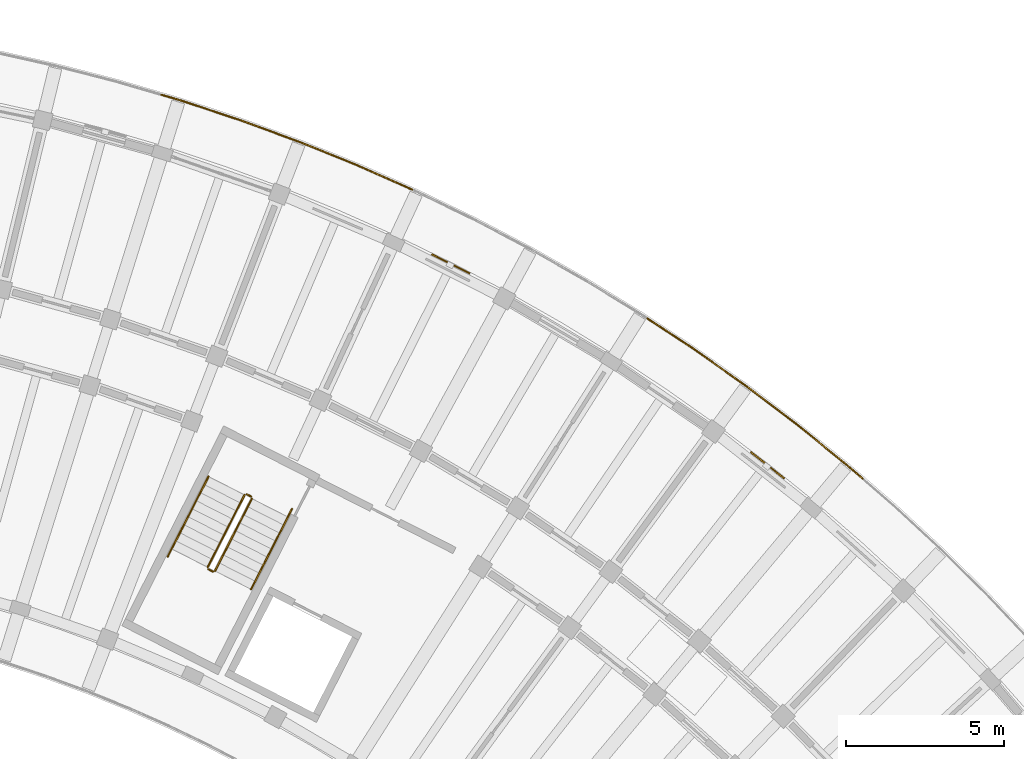
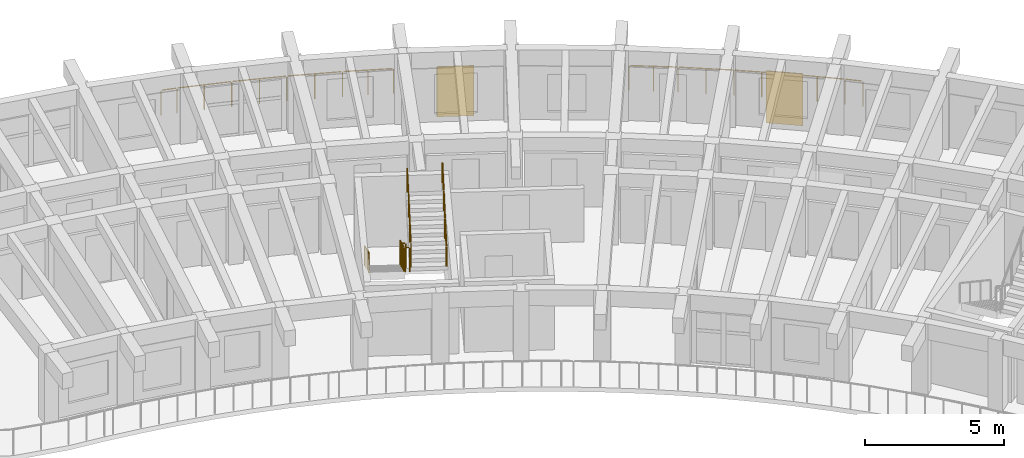
# One storey, part 95 of 96: 12 railings, 2 shading devices.
"""IFC4 building model written with IfcOpenShell, lengths in metres."""

from ifc_helpers import new_model, si_unit, direction, frame, origin, origin_2d, place, context, subcontext, project, spatial, rectangle, circle, extrude, material, layer, layer_set, type_object, element, save


model = new_model("IFC4")

# Units and contexts
model_context = context("Model", 3, precision=1e-05, world=origin(), true_north=direction((0.0, 1.0)))
body_context = subcontext(model_context, "Body", "Model", "MODEL_VIEW")
ifc_project = project(units=[si_unit("LENGTHUNIT", "METRE"), si_unit("AREAUNIT", "SQUARE_METRE"), si_unit("VOLUMEUNIT", "CUBIC_METRE"), si_unit("PLANEANGLEUNIT", "RADIAN"), si_unit("MASSUNIT", "GRAM", prefix="KILO")], contexts=[model_context])

# Site, building, storey
site_placement = place(None, origin())
site = spatial("IfcSite", under=ifc_project, at=site_placement, CompositionType="ELEMENT")
building_placement = place(site_placement, origin())
building = spatial("IfcBuilding", under=site, at=building_placement, Name="Tanwirah Colonnade Gardens", CompositionType="ELEMENT")
storey_placement = place(building_placement, frame((0.0, 0.0, 12.199951171875)))
storey = spatial("IfcBuildingStorey", under=building, at=storey_placement, Name="L03", CompositionType="ELEMENT", Elevation=12.199951171875)

# Railings
ifc_material_1 = material(Name="Precast concrete C40/50", Category="concrete")
railing_type_1 = type_object("IfcRailingType", Name="BAL-EXT112", PredefinedType="BALUSTRADE", material=ifc_material_1)
railing_1_placement = place(storey_placement, frame((138.708984375, 118.89990234375, 0.0)))
element("IfcRailing", 1, at=railing_1_placement, inside=storey, type_object=railing_type_1, Name="Block B L03 Balcony Ribbon Balustrade 12", PredefinedType="BALUSTRADE", context=body_context, shape_type="SweptSolid", body=[
    extrude(circle(Radius=0.02392578125, at=origin_2d()), frame((0.030029296875, -0.0087890625, 1.09619140625), z_axis=(0.959445381797, -0.281894589072, 0.0), x_axis=(0.281894589072, 0.959445381797, 0.0)), (0.0, 0.0, 1.0), 0.521240234375),
    extrude(circle(Radius=0.02392578125, at=origin_2d()), frame((0.58984375, -0.17431640625, 1.09619140625), z_axis=(0.949537316482, -0.313654084317, 0.0), x_axis=(0.313654084317, 0.949537316482, 0.0)), (0.0, 0.0, 1.0), 1.958984375),
    extrude(circle(Radius=0.02392578125, at=origin_2d()), frame((2.5087890625, -0.809326171875, 1.09619140625), z_axis=(0.938723993457, -0.344669789956, 0.0), x_axis=(0.344669789956, 0.938723993457, 0.0)), (0.0, 0.0, 1.0), 1.958984375),
    extrude(circle(Radius=0.02392578125, at=origin_2d()), frame((4.40625, -1.507080078125, 1.09619140625), z_axis=(0.926784720453, -0.375592973757, 0.0), x_axis=(0.375592973757, 0.926784720453, 0.0)), (0.0, 0.0, 1.0), 1.958984375),
    extrude(circle(Radius=0.02392578125, at=origin_2d()), frame((6.279296875, -2.267333984375, 1.09619140625), z_axis=(0.913952853369, -0.405820381227, 0.0), x_axis=(0.405820381227, 0.913952853369, 0.0)), (0.0, 0.0, 1.0), 1.789306640625),
    extrude(circle(Radius=0.02099609375, at=origin_2d()), origin(), (0.0, 0.0, 1.0), 1.069091796875),
    extrude(circle(Radius=0.02099609375, at=origin_2d()), frame((0.56005859375, -0.16455078125, 0.0)), (0.0, 0.0, 1.0), 1.069091796875),
    extrude(circle(Radius=0.02099609375, at=origin_2d()), frame((1.519775390625, -0.4814453125, 0.0)), (0.0, 0.0, 1.0), 1.069091796875),
    extrude(circle(Radius=0.02099609375, at=origin_2d()), frame((2.4794921875, -0.798583984375, 0.0)), (0.0, 0.0, 1.0), 1.069091796875),
    extrude(circle(Radius=0.02099609375, at=origin_2d()), frame((3.42822265625, -1.14697265625, 0.0)), (0.0, 0.0, 1.0), 1.069091796875),
    extrude(circle(Radius=0.02099609375, at=origin_2d()), frame((4.377197265625, -1.495361328125, 0.0)), (0.0, 0.0, 1.0), 1.069091796875),
    extrude(circle(Radius=0.02099609375, at=origin_2d()), frame((5.31396484375, -1.875, 0.0)), (0.0, 0.0, 1.0), 1.069091796875),
    extrude(circle(Radius=0.02099609375, at=origin_2d()), frame((6.250732421875, -2.254638671875, 0.0)), (0.0, 0.0, 1.0), 1.069091796875),
    extrude(circle(Radius=0.02099609375, at=origin_2d()), frame((7.096923828125, -2.63037109375, 0.0)), (0.0, 0.0, 1.0), 1.069091796875),
    extrude(circle(Radius=0.02099609375, at=origin_2d()), frame((7.943115234375, -3.006103515625, 0.0)), (0.0, 0.0, 1.0), 1.069091796875),
])
railing_2_placement = place(storey_placement, frame((154.10107421875, 111.814208984375, 0.0)))
element("IfcRailing", 2, at=railing_2_placement, inside=storey, type_object=railing_type_1, Name="Block B L03 Balcony Ribbon Balustrade 14", PredefinedType="BALUSTRADE", context=body_context, shape_type="SweptSolid", body=[
    extrude(circle(Radius=0.02392578125, at=origin_2d()), frame((0.026123046875, -0.01708984375, 1.09619140625), z_axis=(0.834955335446, -0.550317715334, 0.0), x_axis=(0.550317715334, 0.834955335446, 0.0)), (0.0, 0.0, 1.0), 1.714599609375),
    extrude(circle(Radius=0.02392578125, at=origin_2d()), frame((1.509521484375, -0.99609375, 1.09619140625), z_axis=(0.816344803849, -0.577564854565, 0.0), x_axis=(0.577564854565, 0.816344803849, 0.0)), (0.0, 0.0, 1.0), 1.958740234375),
    extrude(circle(Radius=0.02392578125, at=origin_2d()), frame((3.158935546875, -2.164306640625, 1.09619140625), z_axis=(0.796887753746, -0.604127393792, 0.0), x_axis=(0.604127393792, 0.796887753746, 0.0)), (0.0, 0.0, 1.0), 1.958984375),
    extrude(circle(Radius=0.02392578125, at=origin_2d()), frame((4.76904296875, -3.386474609375, 1.09619140625), z_axis=(0.776549722569, -0.630055972417, 0.0), x_axis=(0.630055972417, 0.776549722569, 0.0)), (0.0, 0.0, 1.0), 1.958984375),
    extrude(circle(Radius=0.02392578125, at=origin_2d()), frame((6.33837890625, -4.660888671875, 1.09619140625), z_axis=(0.755371030703, -0.65529734165, 0.0), x_axis=(0.65529734165, 0.755371030703, 0.0)), (0.0, 0.0, 1.0), 0.59619140625),
    extrude(circle(Radius=0.02099609375, at=origin_2d()), origin(), (0.0, 0.0, 1.0), 1.069091796875),
    extrude(circle(Radius=0.02099609375, at=origin_2d()), frame((0.741943359375, -0.489013671875, 0.0)), (0.0, 0.0, 1.0), 1.069091796875),
    extrude(circle(Radius=0.02099609375, at=origin_2d()), frame((1.48388671875, -0.97802734375, 0.0)), (0.0, 0.0, 1.0), 1.069091796875),
    extrude(circle(Radius=0.02099609375, at=origin_2d()), frame((2.30908203125, -1.561767578125, 0.0)), (0.0, 0.0, 1.0), 1.069091796875),
    extrude(circle(Radius=0.02099609375, at=origin_2d()), frame((3.134033203125, -2.1455078125, 0.0)), (0.0, 0.0, 1.0), 1.069091796875),
    extrude(circle(Radius=0.02099609375, at=origin_2d()), frame((3.939453125, -2.756103515625, 0.0)), (0.0, 0.0, 1.0), 1.069091796875),
    extrude(circle(Radius=0.02099609375, at=origin_2d()), frame((4.744873046875, -3.36669921875, 0.0)), (0.0, 0.0, 1.0), 1.069091796875),
    extrude(circle(Radius=0.02099609375, at=origin_2d()), frame((5.52978515625, -4.00341796875, 0.0)), (0.0, 0.0, 1.0), 1.069091796875),
    extrude(circle(Radius=0.02099609375, at=origin_2d()), frame((6.314697265625, -4.640380859375, 0.0)), (0.0, 0.0, 1.0), 1.069091796875),
    extrude(circle(Radius=0.02099609375, at=origin_2d()), frame((6.812255859375, -5.072021484375, 0.0)), (0.0, 0.0, 1.0), 1.069091796875),
])
ifc_material_2 = material(Name="Powder-coated galvanized steel", Category="steel")
railing_type_2 = type_object("IfcRailingType", Name="GRD-ST110", PredefinedType="GUARDRAIL", material=ifc_material_2)
railing_3_placement = place(storey_placement, frame((141.344970703125, 106.230712890625, 0.16796875)))
element("IfcRailing", 3, at=railing_3_placement, inside=storey, type_object=railing_type_2, Name="L03 ST-B2 stair guard 1", PredefinedType="GUARDRAIL", context=body_context, shape_type="SweptSolid", body=[
    extrude(circle(Radius=0.02392578125, at=origin_2d()), frame((-0.01220703125, -0.02392578125, 1.092041015625), z_axis=(-0.3911222872, -0.767567239095, 0.507803003067), x_axis=(0.890993730975, -0.45401560696, 0.0)), (0.0, 0.0, 1.0), 2.9150390625),
    extrude(circle(Radius=0.02099609375, at=origin_2d()), origin(), (0.0, 0.0, 1.0), 1.049072265625),
    extrude(circle(Radius=0.02099609375, at=origin_2d()), frame((-0.38818359375, -0.76171875, 0.50390625)), (0.0, 0.0, 1.0), 1.049072265625),
    extrude(circle(Radius=0.02099609375, at=origin_2d()), frame((-0.7763671875, -1.523681640625, 1.008056640625)), (0.0, 0.0, 1.0), 1.049072265625),
    extrude(circle(Radius=0.02099609375, at=origin_2d()), frame((-1.16455078125, -2.285400390625, 1.511962890625)), (0.0, 0.0, 1.0), 1.049072265625),
])
railing_4_placement = place(storey_placement, frame((140.202392578125, 103.8779296875, 1.679931640625)))
element("IfcRailing", 4, at=railing_4_placement, inside=storey, type_object=railing_type_2, Name="L03 ST-B2 stair guard 2", PredefinedType="GUARDRAIL", context=body_context, shape_type="SweptSolid", body=[
    extrude(circle(Radius=0.02392578125, at=origin_2d()), frame((0.02783203125, -0.01416015625, 1.076171875), z_axis=(0.891353773095, -0.453308340084, 0.0), x_axis=(0.453308340084, 0.891353773095, 0.0)), (0.0, 0.0, 1.0), 0.097412109375),
    extrude(circle(Radius=0.02099609375, at=origin_2d()), origin(), (0.0, 0.0, 1.0), 1.049072265625),
    extrude(circle(Radius=0.02099609375, at=origin_2d()), frame((0.142578125, -0.072509765625, 0.0)), (0.0, 0.0, 1.0), 1.049072265625),
])
railing_5_placement = place(storey_placement, frame((140.412109375, 103.8271484375, 1.84814453125)))
element("IfcRailing", 5, at=railing_5_placement, inside=storey, type_object=railing_type_2, Name="L03 ST-B2 stair guard 3", PredefinedType="GUARDRAIL", context=body_context, shape_type="SweptSolid", body=[
    extrude(circle(Radius=0.02392578125, at=origin_2d()), frame((0.01220703125, 0.02392578125, 1.092041015625), z_axis=(0.3911222872, 0.767567239095, 0.507803003067), x_axis=(-0.890993730975, 0.45401560696, 0.0)), (0.0, 0.0, 1.0), 2.9150390625),
    extrude(circle(Radius=0.02099609375, at=origin_2d()), origin(), (0.0, 0.0, 1.0), 1.049072265625),
    extrude(circle(Radius=0.02099609375, at=origin_2d()), frame((0.38818359375, 0.76171875, 0.50390625)), (0.0, 0.0, 1.0), 1.049072265625),
    extrude(circle(Radius=0.02099609375, at=origin_2d()), frame((0.7763671875, 1.523681640625, 1.008056640625)), (0.0, 0.0, 1.0), 1.049072265625),
    extrude(circle(Radius=0.02099609375, at=origin_2d()), frame((1.16455078125, 2.285400390625, 1.511962890625)), (0.0, 0.0, 1.0), 1.049072265625),
])
railing_6_placement = place(storey_placement, frame((141.412109375, 106.25244140625, 0.0)))
element("IfcRailing", 6, at=railing_6_placement, inside=storey, type_object=railing_type_2, Name="L03 ST-B2 stair guard 4", PredefinedType="GUARDRAIL", context=body_context, shape_type="SweptSolid", body=[
    extrude(circle(Radius=0.02392578125, at=origin_2d()), frame((0.02783203125, -0.01416015625, 1.076171875), z_axis=(0.891353773095, -0.453308340084, 0.0), x_axis=(0.453308340084, 0.891353773095, 0.0)), (0.0, 0.0, 1.0), 0.097412109375),
    extrude(circle(Radius=0.02099609375, at=origin_2d()), origin(), (0.0, 0.0, 1.0), 1.049072265625),
    extrude(circle(Radius=0.02099609375, at=origin_2d()), frame((0.142578125, -0.072509765625, 0.0)), (0.0, 0.0, 1.0), 1.049072265625),
])
ifc_material_3 = material(Name="Brushed bronze stainless steel", Category="steel")
railing_type_3 = type_object("IfcRailingType", Name="HR-ST090", PredefinedType="HANDRAIL", material=ifc_material_3)
railing_7_placement = place(storey_placement, frame((140.204345703125, 106.811767578125, 0.16796875)))
element("IfcRailing", 7, at=railing_7_placement, inside=storey, type_object=railing_type_3, Name="L03 ST-B2 stair handrail 1", PredefinedType="HANDRAIL", context=body_context, shape_type="SweptSolid", body=[
    extrude(circle(Radius=0.02392578125, at=origin_2d()), frame((-0.01220703125, -0.02392578125, 0.891845703125), z_axis=(-0.389886268615, -0.765422249879, 0.511974097915), x_axis=(0.891061070925, -0.453883429839, 0.0)), (0.0, 0.0, 1.0), 1.043212890625),
    extrude(circle(Radius=0.02099609375, at=origin_2d()), origin(), (0.0, 0.0, 1.0), 0.848876953125),
    extrude(circle(Radius=0.02099609375, at=origin_2d()), frame((-0.43115234375, -0.846435546875, 0.566162109375)), (0.0, 0.0, 1.0), 0.848876953125),
])
railing_8_placement = place(storey_placement, frame((139.773193359375, 105.96533203125, 0.734130859375)))
element("IfcRailing", 8, at=railing_8_placement, inside=storey, type_object=railing_type_3, Name="L03 ST-B2 stair handrail 2", PredefinedType="HANDRAIL", context=body_context, shape_type="SweptSolid", body=[
    extrude(circle(Radius=0.02392578125, at=origin_2d()), frame((-0.01220703125, -0.02392578125, 0.891845703125), z_axis=(-0.390117538533, -0.765442844423, 0.51176709356), x_axis=(0.890957114254, -0.454087459154, 0.0)), (0.0, 0.0, 1.0), 1.043212890625),
    extrude(circle(Radius=0.02099609375, at=origin_2d()), origin(), (0.0, 0.0, 1.0), 0.848876953125),
    extrude(circle(Radius=0.02099609375, at=origin_2d()), frame((-0.431396484375, -0.846435546875, 0.56591796875)), (0.0, 0.0, 1.0), 0.848876953125),
])
railing_9_placement = place(storey_placement, frame((139.341796875, 105.118896484375, 1.300048828125)))
element("IfcRailing", 9, at=railing_9_placement, inside=storey, type_object=railing_type_3, Name="L03 ST-B2 stair handrail 3", PredefinedType="HANDRAIL", context=body_context, shape_type="SweptSolid", body=[
    extrude(circle(Radius=0.02392578125, at=origin_2d()), frame((-0.01220703125, -0.02392578125, 0.891845703125), z_axis=(-0.38993033558, -0.765508761867, 0.511811165275), x_axis=(0.891061070925, -0.453883429839, 0.0)), (0.0, 0.0, 1.0), 1.043212890625),
    extrude(circle(Radius=0.02099609375, at=origin_2d()), origin(), (0.0, 0.0, 1.0), 0.848876953125),
    extrude(circle(Radius=0.02099609375, at=origin_2d()), frame((-0.43115234375, -0.846435546875, 0.56591796875)), (0.0, 0.0, 1.0), 0.848876953125),
])
for number, where, name in (
    (10, (141.552490234375, 103.24609375, 1.84814453125), "L03 ST-B2 stair handrail 4"),
    (11, (141.98388671875, 104.092529296875, 2.4140625), "L03 ST-B2 stair handrail 5"),
):
    element("IfcRailing", number, at=place(storey_placement, frame(where)), inside=storey, type_object=railing_type_3, Name=name, PredefinedType="HANDRAIL", context=body_context, shape_type="SweptSolid", body=[
        extrude(circle(Radius=0.02392578125, at=origin_2d()), frame((0.01220703125, 0.02392578125, 0.891845703125), z_axis=(0.390117538533, 0.765442844423, 0.51176709356), x_axis=(-0.890957114254, 0.454087459154, 0.0)), (0.0, 0.0, 1.0), 1.043212890625),
        extrude(circle(Radius=0.02099609375, at=origin_2d()), origin(), (0.0, 0.0, 1.0), 0.848876953125),
        extrude(circle(Radius=0.02099609375, at=origin_2d()), frame((0.431396484375, 0.846435546875, 0.56591796875)), (0.0, 0.0, 1.0), 0.848876953125),
    ])
railing_10_placement = place(storey_placement, frame((142.415283203125, 104.93896484375, 2.97998046875)))
element("IfcRailing", 12, at=railing_10_placement, inside=storey, type_object=railing_type_3, Name="L03 ST-B2 stair handrail 6", PredefinedType="HANDRAIL", context=body_context, shape_type="SweptSolid", body=[
    extrude(circle(Radius=0.02392578125, at=origin_2d()), frame((0.01220703125, 0.02392578125, 0.891845703125), z_axis=(0.389886268615, 0.765422249879, 0.511974097915), x_axis=(-0.891061070925, 0.453883429839, 0.0)), (0.0, 0.0, 1.0), 1.043212890625),
    extrude(circle(Radius=0.02099609375, at=origin_2d()), origin(), (0.0, 0.0, 1.0), 0.848876953125),
    extrude(circle(Radius=0.02099609375, at=origin_2d()), frame((0.43115234375, 0.846435546875, 0.566162109375)), (0.0, 0.0, 1.0), 0.848876953125),
])

# Shading devices
ifc_material_4 = material(Name="Perforated architectural bronze aluminium", Category="aluminium")
ifc_layer = layer(ifc_material_4, 0.044921875)
ifc_layer_set = layer_set([ifc_layer], Name="Perforated architectural bronze aluminium")
shading_device_type = type_object("IfcShadingDeviceType", Name="SHD-MSH1", PredefinedType="JALOUSIE", material=ifc_layer_set)
shading_device_1_placement = place(storey_placement, frame((157.899658203125, 107.17236328125, 0.0), z_axis=(0.0, 0.0, 1.0), x_axis=(-0.786816013383, 0.617187622271, 0.0)))
element("IfcShadingDevice", 13, at=shading_device_1_placement, inside=storey, type_object=shading_device_type, Name="Bronze mashrabiya solar screen B-L03-09", PredefinedType="JALOUSIE", context=body_context, shape_type="SweptSolid", body=[
    extrude(rectangle(XDim=1.35009765625, YDim=0.044921875, at=origin_2d()), origin(), (0.0, 0.0, 1.0), 2.284912109375),
])
shading_device_2_placement = place(storey_placement, frame((147.87353515625, 113.546142578125, 0.0), z_axis=(0.0, 0.0, 1.0), x_axis=(-0.892759988233, 0.450532577524, 0.0)))
element("IfcShadingDevice", 14, at=shading_device_2_placement, inside=storey, type_object=shading_device_type, Name="Bronze mashrabiya solar screen B-L03-12", PredefinedType="JALOUSIE", context=body_context, shape_type="SweptSolid", body=[
    extrude(rectangle(XDim=1.35009765625, YDim=0.044921875, at=origin_2d()), origin(), (0.0, 0.0, 1.0), 2.199951171875),
])

save(model, "model.ifc")
